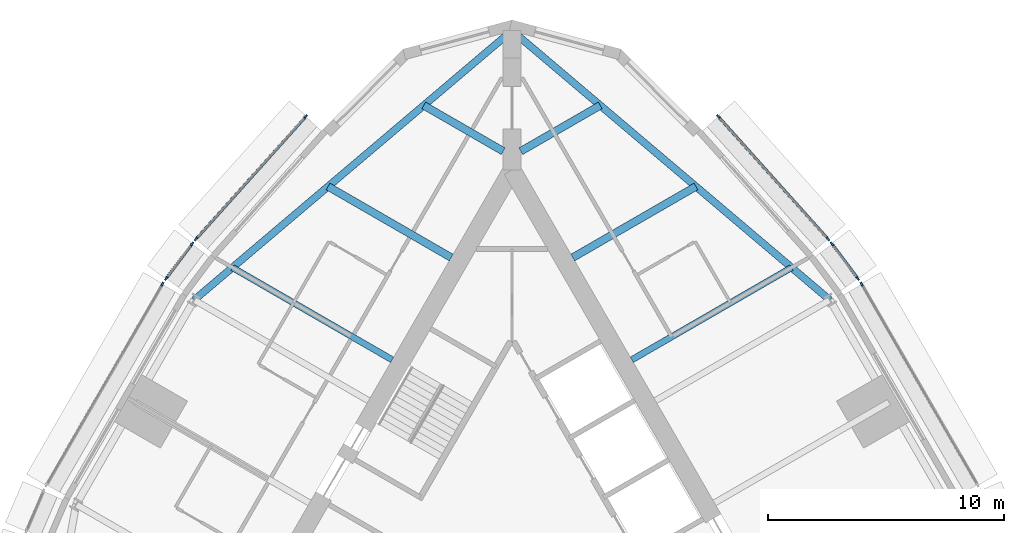
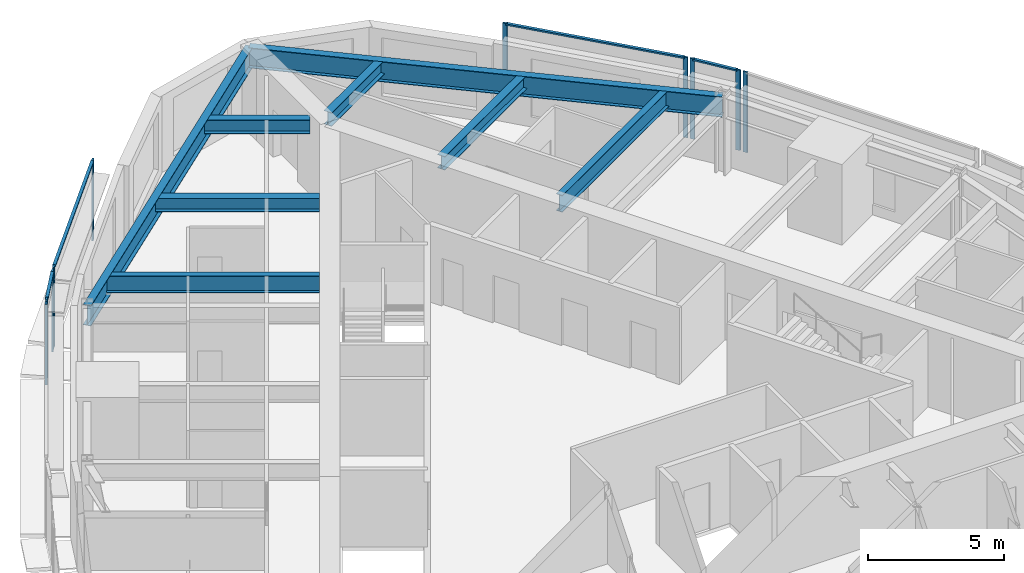
# One storey, part 5 of 12: 14 members, 8 beams, 6 elements without a shape of their own.
"""IFC4 building model written with IfcOpenShell, lengths in metres."""

from ifc_helpers import new_model, si_unit, direction, frame, origin, origin_2d, place, context, subcontext, project, spatial, rectangle, i_section, extrude, material, material_profile, profile_set, type_object, element, aggregate, save


model = new_model("IFC4")

# Units and contexts
model_context = context("Model", 3, precision=1e-05, world=origin(), true_north=direction((0.0, 1.0)))
body_context = subcontext(model_context, "Body", "Model", "MODEL_VIEW")
ifc_project = project(units=[si_unit("LENGTHUNIT", "METRE"), si_unit("AREAUNIT", "SQUARE_METRE"), si_unit("VOLUMEUNIT", "CUBIC_METRE"), si_unit("PLANEANGLEUNIT", "RADIAN"), si_unit("MASSUNIT", "GRAM", prefix="KILO")], contexts=[model_context])

# Site, building, storey
site_placement = place(None, origin())
site = spatial("IfcSite", under=ifc_project, at=site_placement, CompositionType="ELEMENT")
building_placement = place(site_placement, origin())
building = spatial("IfcBuilding", under=site, at=building_placement, Name="Trikona Tower", CompositionType="ELEMENT")
storey_placement = place(building_placement, frame((0.0, 0.0, 242.89990234375)))
storey = spatial("IfcBuildingStorey", under=building, at=storey_placement, Name="L64", CompositionType="ELEMENT", Elevation=242.89990234375)

# Curtain wall, member
ifc_material_1 = material(Name="Aluminium curtain wall system", Category="aluminium")
curtain_wall_type = type_object("IfcCurtainWallType", Name="Curtain wall DS3", PredefinedType="NOTDEFINED", material=ifc_material_1)
curtain_wall_1_placement = place(storey_placement, origin())
curtain_wall_1 = element("IfcCurtainWall", 1, at=curtain_wall_1_placement, inside=storey, type_object=curtain_wall_type, Name="Curtain wall DS3 L64", PredefinedType="NOTDEFINED")
ifc_material_2 = material(Name="Aluminium mullion, pale anodised", Category="aluminium")
ifc_material_profile_1 = material_profile(ifc_material_2, rectangle(XDim=0.070068359375, YDim=0.179931640625, at=origin_2d()), Name="MUL-DS3")
ifc_profile_set_1 = profile_set([ifc_material_profile_1], Name="Aluminium mullion, pale anodised")
member_type_1 = type_object("IfcMemberType", Name="Mullion DS3 70x180", PredefinedType="MULLION", material=ifc_profile_set_1)
member_1_placement = place(storey_placement, frame((14.807861328125, 14.213134765625, 0.0), z_axis=(0.0, 0.0, 1.0), x_axis=(-0.866024619633, -0.500001358187, 0.0)))
member_1 = element("IfcMember", 2, at=member_1_placement, type_object=member_type_1, Name="CW-DS3 mullion 2", PredefinedType="MULLION", context=body_context, shape_type="SweptSolid", body=[
    extrude(rectangle(XDim=0.070068359375, YDim=0.179931640625, at=origin_2d()), origin(), (0.0, 0.0, 1.0), 3.60009765625),
])
aggregate(curtain_wall_1, [member_1])

# Curtain wall, members
curtain_wall_2_placement = place(storey_placement, origin())
curtain_wall_2 = element("IfcCurtainWall", 3, at=curtain_wall_2_placement, inside=storey, type_object=curtain_wall_type, Name="Curtain wall DS3 L64", PredefinedType="NOTDEFINED")
member_2_placement = place(storey_placement, frame((14.644287109375, 14.461181640625, 0.0), z_axis=(0.0, 0.0, 1.0), x_axis=(-0.800259657055, -0.599653634435, 0.0)))
member_2 = element("IfcMember", 4, at=member_2_placement, type_object=member_type_1, Name="CW-DS3 mullion 1", PredefinedType="MULLION", context=body_context, shape_type="SweptSolid", body=[
    extrude(rectangle(XDim=0.070068359375, YDim=0.179931640625, at=origin_2d()), origin(), (0.0, 0.0, 1.0), 3.60009765625),
])
member_3_placement = place(storey_placement, frame((13.55029296875, 15.9208984375, 0.0), z_axis=(0.0, 0.0, 1.0), x_axis=(-0.800259657055, -0.599653634435, 0.0)))
member_3 = element("IfcMember", 5, at=member_3_placement, type_object=member_type_1, Name="CW-DS3 mullion 2", PredefinedType="MULLION", context=body_context, shape_type="SweptSolid", body=[
    extrude(rectangle(XDim=0.070068359375, YDim=0.179931640625, at=origin_2d()), origin(), (0.0, 0.0, 1.0), 3.60009765625),
])

curtain_wall_3_placement = place(storey_placement, origin())
curtain_wall_3 = element("IfcCurtainWall", 6, at=curtain_wall_3_placement, inside=storey, type_object=curtain_wall_type, Name="Curtain wall DS3 L64", PredefinedType="NOTDEFINED")
member_4_placement = place(storey_placement, frame((13.380126953125, 16.128662109375, 0.0), z_axis=(0.0, 0.0, 1.0), x_axis=(-0.744771436797, -0.667319643748, 0.0)))
member_4 = element("IfcMember", 7, at=member_4_placement, type_object=member_type_1, Name="CW-DS3 mullion 1", PredefinedType="MULLION", context=body_context, shape_type="SweptSolid", body=[
    extrude(rectangle(XDim=0.070068359375, YDim=0.179931640625, at=origin_2d()), origin(), (0.0, 0.0, 1.0), 3.60009765625),
])
member_5_placement = place(storey_placement, frame((8.733642578125, 21.314453125, 0.0), z_axis=(0.0, 0.0, 1.0), x_axis=(-0.744771436797, -0.667319643748, 0.0)))
member_5 = element("IfcMember", 8, at=member_5_placement, type_object=member_type_1, Name="CW-DS3 mullion 2", PredefinedType="MULLION", context=body_context, shape_type="SweptSolid", body=[
    extrude(rectangle(XDim=0.070068359375, YDim=0.179931640625, at=origin_2d()), origin(), (0.0, 0.0, 1.0), 3.60009765625),
])

curtain_wall_4_placement = place(storey_placement, origin())
curtain_wall_4 = element("IfcCurtainWall", 9, at=curtain_wall_4_placement, inside=storey, type_object=curtain_wall_type, Name="Curtain wall DS3 L64", PredefinedType="NOTDEFINED")
member_6_placement = place(storey_placement, frame((-8.733642578125, 21.314453125, 0.0), z_axis=(0.0, 0.0, 1.0), x_axis=(0.744771436797, -0.667319643748, 0.0)))
member_6 = element("IfcMember", 10, at=member_6_placement, type_object=member_type_1, Name="CW-DS3 mullion 1", PredefinedType="MULLION", context=body_context, shape_type="SweptSolid", body=[
    extrude(rectangle(XDim=0.070068359375, YDim=0.179931640625, at=origin_2d()), origin(), (0.0, 0.0, 1.0), 3.60009765625),
])
member_7_placement = place(storey_placement, frame((-13.380126953125, 16.128662109375, 0.0), z_axis=(0.0, 0.0, 1.0), x_axis=(0.744771436797, -0.667319643748, 0.0)))
member_7 = element("IfcMember", 11, at=member_7_placement, type_object=member_type_1, Name="CW-DS3 mullion 2", PredefinedType="MULLION", context=body_context, shape_type="SweptSolid", body=[
    extrude(rectangle(XDim=0.070068359375, YDim=0.179931640625, at=origin_2d()), origin(), (0.0, 0.0, 1.0), 3.60009765625),
])

curtain_wall_5_placement = place(storey_placement, origin())
curtain_wall_5 = element("IfcCurtainWall", 12, at=curtain_wall_5_placement, inside=storey, type_object=curtain_wall_type, Name="Curtain wall DS3 L64", PredefinedType="NOTDEFINED")
member_8_placement = place(storey_placement, frame((-13.55029296875, 15.9208984375, 0.0), z_axis=(0.0, 0.0, 1.0), x_axis=(0.800259657055, -0.599653634435, 0.0)))
member_8 = element("IfcMember", 13, at=member_8_placement, type_object=member_type_1, Name="CW-DS3 mullion 1", PredefinedType="MULLION", context=body_context, shape_type="SweptSolid", body=[
    extrude(rectangle(XDim=0.070068359375, YDim=0.179931640625, at=origin_2d()), origin(), (0.0, 0.0, 1.0), 3.60009765625),
])
member_9_placement = place(storey_placement, frame((-14.644287109375, 14.461181640625, 0.0), z_axis=(0.0, 0.0, 1.0), x_axis=(0.800259657055, -0.599653634435, 0.0)))
member_9 = element("IfcMember", 14, at=member_9_placement, type_object=member_type_1, Name="CW-DS3 mullion 2", PredefinedType="MULLION", context=body_context, shape_type="SweptSolid", body=[
    extrude(rectangle(XDim=0.070068359375, YDim=0.179931640625, at=origin_2d()), origin(), (0.0, 0.0, 1.0), 3.60009765625),
])

# Curtain wall, member
curtain_wall_6_placement = place(storey_placement, origin())
curtain_wall_6 = element("IfcCurtainWall", 15, at=curtain_wall_6_placement, inside=storey, type_object=curtain_wall_type, Name="Curtain wall DS3 L64", PredefinedType="NOTDEFINED")
member_10_placement = place(storey_placement, frame((-14.807861328125, 14.213134765625, 0.0), z_axis=(0.0, 0.0, 1.0), x_axis=(0.866024619633, -0.500001358187, 0.0)))
member_10 = element("IfcMember", 16, at=member_10_placement, type_object=member_type_1, Name="CW-DS3 mullion 1", PredefinedType="MULLION", context=body_context, shape_type="SweptSolid", body=[
    extrude(rectangle(XDim=0.070068359375, YDim=0.179931640625, at=origin_2d()), origin(), (0.0, 0.0, 1.0), 3.60009765625),
])
aggregate(curtain_wall_6, [member_10])

# Beams
ifc_material_3 = material(Name="Steel ASTM A992 Grade 50", Category="steel")
ifc_material_profile_2 = material_profile(ifc_material_3, i_section(OverallWidth=0.3251953125, OverallDepth=0.612060546875, WebThickness=0.0126953125, FlangeThickness=0.01904296875, at=origin_2d()), Name="W24X104")
ifc_profile_set_2 = profile_set([ifc_material_profile_2], Name="Steel ASTM A992 Grade 50")
beam_type_1 = type_object("IfcBeamType", Name="Steel beam W24x104 (wedge upper)", PredefinedType="BEAM", material=ifc_profile_set_2)
beam_1_placement = place(storey_placement, frame((2.57470703125, 15.343017578125, 3.12890625), z_axis=(0.866030935233, 0.499990419128, 0.0), x_axis=(-0.499990419128, 0.866030935233, 0.0)))
element("IfcBeam", 17, at=beam_1_placement, inside=storey, type_object=beam_type_1, Name="Floor beam L65 F2 u12", PredefinedType="BEAM", context=body_context, shape_type="SweptSolid", body=[
    extrude(i_section(OverallWidth=0.3251953125, OverallDepth=0.612060546875, WebThickness=0.0126953125, FlangeThickness=0.01904296875, at=origin_2d()), origin(), (0.0, 0.0, 1.0), 6.02001953125),
])
for number, where, z_axis, x_axis, name in (
    (18, (0.375, 19.846435546875, 3.12890625), (0.866024273614, 0.500001957507, 0.0), (-0.500001957507, 0.866024273614, 0.0), "Floor beam L65 F2 u17"),
    (19, (-0.375, 19.846435546875, 3.12890625), (-0.866024273614, 0.500001957507, 0.0), (-0.500001957507, -0.866024273614, 0.0), "Floor beam L65 F3 u-17"),
):
    element("IfcBeam", number, at=place(storey_placement, frame(where, z_axis=z_axis, x_axis=x_axis)), inside=storey, type_object=beam_type_1, Name=name, PredefinedType="BEAM", context=body_context, shape_type="SweptSolid", body=[
        extrude(i_section(OverallWidth=0.3251953125, OverallDepth=0.612060546875, WebThickness=0.0126953125, FlangeThickness=0.01904296875, at=origin_2d()), origin(), (0.0, 0.0, 1.0), 3.88134765625),
    ])
beam_2_placement = place(storey_placement, frame((-2.57470703125, 15.343017578125, 3.12890625), z_axis=(-0.866030935233, 0.499990419128, 0.0), x_axis=(-0.499990419128, -0.866030935233, 0.0)))
element("IfcBeam", 20, at=beam_2_placement, inside=storey, type_object=beam_type_1, Name="Floor beam L65 F3 u-12", PredefinedType="BEAM", context=body_context, shape_type="SweptSolid", body=[
    extrude(i_section(OverallWidth=0.3251953125, OverallDepth=0.612060546875, WebThickness=0.0126953125, FlangeThickness=0.01904296875, at=origin_2d()), origin(), (0.0, 0.0, 1.0), 6.02001953125),
])
ifc_material_4 = material(Name="Steel ASTM A992 Grade 50", Category="steel")
ifc_material_profile_3 = material_profile(ifc_material_4, i_section(OverallWidth=0.2666015625, OverallDepth=0.7568359375, WebThickness=0.013916015625, FlangeThickness=0.019287109375, at=origin_2d()), Name="W30X108")
ifc_profile_set_3 = profile_set([ifc_material_profile_3], Name="Steel ASTM A992 Grade 50")
beam_type_2 = type_object("IfcBeamType", Name="Steel beam W30x108 (radial upper)", PredefinedType="BEAM", material=ifc_profile_set_3)
for number, where, z_axis, x_axis, name in (
    (21, (5.07470703125, 11.0126953125, 3.056640625), (0.866026865327, 0.499997468525, 0.0), (-0.499997468525, 0.866026865327, 0.0), "Floor beam L65 F2 u7"),
    (22, (-5.07470703125, 11.0126953125, 3.056640625), (-0.866026865327, 0.499997468525, 0.0), (-0.499997468525, -0.866026865327, 0.0), "Floor beam L65 F3 u-7"),
):
    element("IfcBeam", number, at=place(storey_placement, frame(where, z_axis=z_axis, x_axis=x_axis)), inside=storey, type_object=beam_type_2, Name=name, PredefinedType="BEAM", context=body_context, shape_type="SweptSolid", body=[
        extrude(i_section(OverallWidth=0.2666015625, OverallDepth=0.7568359375, WebThickness=0.013916015625, FlangeThickness=0.019287109375, at=origin_2d()), origin(), (0.0, 0.0, 1.0), 7.8125),
    ])
ifc_material_5 = material(Name="Steel ASTM A992 Grade 50", Category="steel")
ifc_material_profile_4 = material_profile(ifc_material_5, i_section(OverallWidth=0.3046875, OverallDepth=0.911865234375, WebThickness=0.015869140625, FlangeThickness=0.02392578125, at=origin_2d()), Name="W36X150")
ifc_profile_set_4 = profile_set([ifc_material_profile_4], Name="Steel ASTM A992 Grade 50")
beam_type_3 = type_object("IfcBeamType", Name="Steel beam W36x150 (spandrel upper)", PredefinedType="SPANDREL", material=ifc_profile_set_4)
for number, where, z_axis, x_axis, name in (
    (23, (13.461181640625, 13.54541015625, 2.979248046875), (-0.762890626803, 0.646527564405, 0.0), (-0.646527564405, -0.762890626803, 0.0), "Spandrel beam L65 F2-3"),
    (24, (0.0, 24.953369140625, 2.979248046875), (-0.762890626803, -0.646527564405, 0.0), (0.646527564405, -0.762890626803, 0.0), "Spandrel beam L65 F3-1"),
):
    element("IfcBeam", number, at=place(storey_placement, frame(where, z_axis=z_axis, x_axis=x_axis)), inside=storey, type_object=beam_type_3, Name=name, PredefinedType="SPANDREL", context=body_context, shape_type="SweptSolid", body=[
        extrude(i_section(OverallWidth=0.3046875, OverallDepth=0.911865234375, WebThickness=0.015869140625, FlangeThickness=0.02392578125, at=origin_2d()), origin(), (0.0, 0.0, 1.0), 17.64501953125),
    ])

# Member
ifc_material_6 = material(Name="Aluminium transom, pale anodised", Category="aluminium")
ifc_material_profile_5 = material_profile(ifc_material_6, rectangle(XDim=0.1201171875, YDim=0.070068359375, at=origin_2d()), Name="TRN-DS3")
ifc_profile_set_5 = profile_set([ifc_material_profile_5], Name="Aluminium transom, pale anodised")
member_type_2 = type_object("IfcMemberType", Name="Transom DS3 70x120", PredefinedType="USERDEFINED", material=ifc_profile_set_5)
member_11_placement = place(storey_placement, frame((14.623291015625, 14.489013671875, 3.565185546875), z_axis=(-0.599621429645, 0.80028378786, 0.0), x_axis=(-0.80028378786, -0.599621429645, 0.0)))
member_11 = element("IfcMember", 25, at=member_11_placement, type_object=member_type_2, Name="CW-DS3 transom 1.1", ObjectType="TRANSOM", PredefinedType="USERDEFINED", context=body_context, shape_type="SweptSolid", body=[
    extrude(rectangle(XDim=0.1201171875, YDim=0.070068359375, at=origin_2d()), origin(), (0.0, 0.0, 1.0), 1.75439453125),
])

aggregate(curtain_wall_2, [member_2, member_3, member_11])

member_12_placement = place(storey_placement, frame((13.356689453125, 16.15478515625, 3.565185546875), z_axis=(-0.667313410703, 0.744777021595, 0.0), x_axis=(-0.744777021595, -0.667313410703, 0.0)))
member_12 = element("IfcMember", 26, at=member_12_placement, type_object=member_type_2, Name="CW-DS3 transom 1.1", ObjectType="TRANSOM", PredefinedType="USERDEFINED", context=body_context, shape_type="SweptSolid", body=[
    extrude(rectangle(XDim=0.1201171875, YDim=0.070068359375, at=origin_2d()), origin(), (0.0, 0.0, 1.0), 6.892822265625),
])

aggregate(curtain_wall_3, [member_4, member_5, member_12])

member_13_placement = place(storey_placement, frame((-8.757080078125, 21.288330078125, 3.565185546875), z_axis=(-0.667313410703, -0.744777021595, 0.0), x_axis=(0.744777021595, -0.667313410703, 0.0)))
member_13 = element("IfcMember", 27, at=member_13_placement, type_object=member_type_2, Name="CW-DS3 transom 1.1", ObjectType="TRANSOM", PredefinedType="USERDEFINED", context=body_context, shape_type="SweptSolid", body=[
    extrude(rectangle(XDim=0.1201171875, YDim=0.070068359375, at=origin_2d()), origin(), (0.0, 0.0, 1.0), 6.892822265625),
])

aggregate(curtain_wall_4, [member_6, member_7, member_13])

member_14_placement = place(storey_placement, frame((-13.5712890625, 15.89306640625, 3.565185546875), z_axis=(-0.599621429645, -0.80028378786, 0.0), x_axis=(0.80028378786, -0.599621429645, 0.0)))
member_14 = element("IfcMember", 28, at=member_14_placement, type_object=member_type_2, Name="CW-DS3 transom 1.1", ObjectType="TRANSOM", PredefinedType="USERDEFINED", context=body_context, shape_type="SweptSolid", body=[
    extrude(rectangle(XDim=0.1201171875, YDim=0.070068359375, at=origin_2d()), origin(), (0.0, 0.0, 1.0), 1.75439453125),
])

aggregate(curtain_wall_5, [member_8, member_9, member_14])

save(model, "model.ifc")
